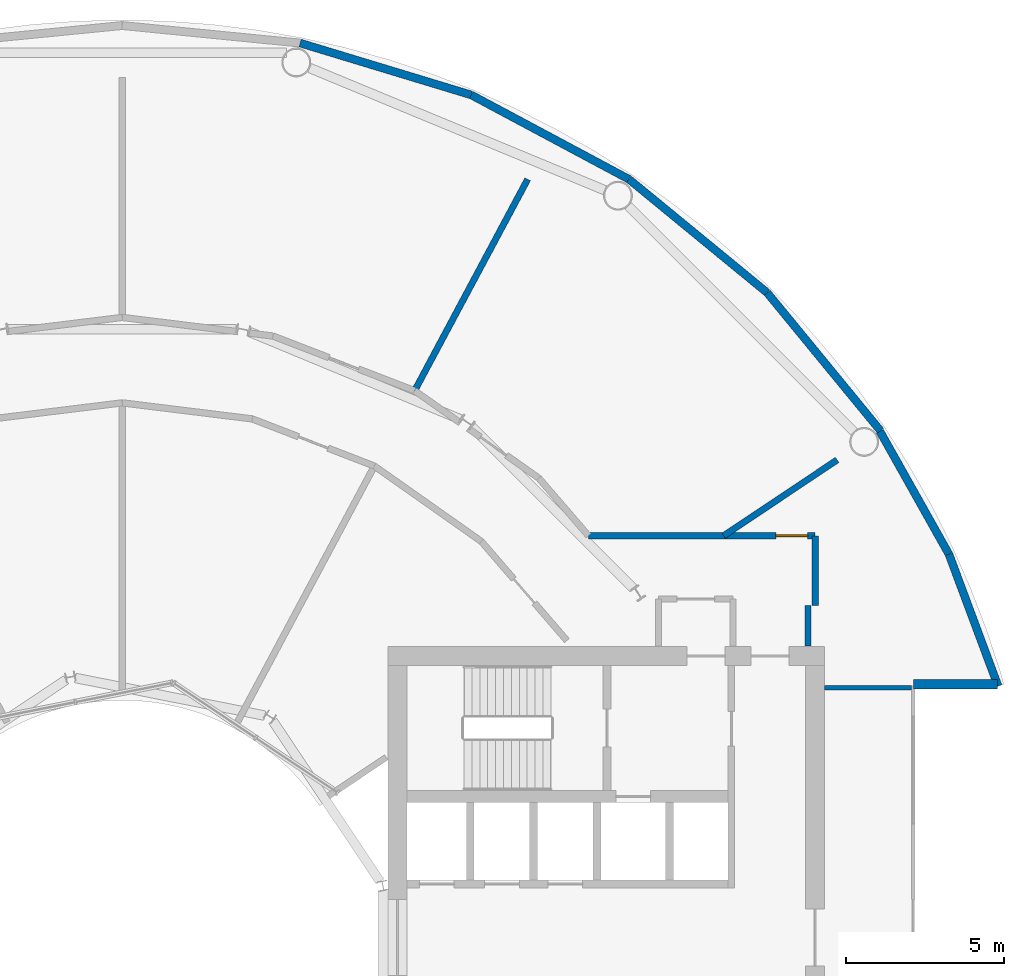
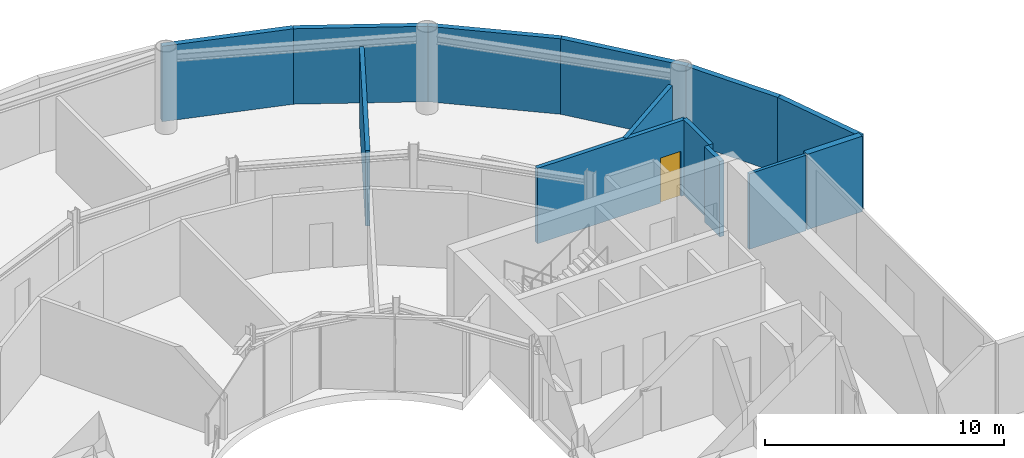
# One storey, part 15 of 18: 13 walls, 1 door, 1 opening.
"""IFC4 building model written with IfcOpenShell, lengths in metres."""

from ifc_helpers import new_model, si_unit, direction, frame, frame_2d, origin, place, context, subcontext, project, spatial, rectangle, extrude, material, layer, layer_set, type_object, element, fill, save


model = new_model("IFC4")

# Units and contexts
model_context = context("Model", 3, precision=1e-05, world=origin(), true_north=direction((0.0, 1.0)))
body_context = subcontext(model_context, "Body", "Model", "MODEL_VIEW")
ifc_project = project(units=[si_unit("LENGTHUNIT", "METRE"), si_unit("AREAUNIT", "SQUARE_METRE"), si_unit("VOLUMEUNIT", "CUBIC_METRE"), si_unit("PLANEANGLEUNIT", "RADIAN"), si_unit("MASSUNIT", "GRAM", prefix="KILO")], contexts=[model_context])

# Site, building, storey
site_placement = place(None, origin())
site = spatial("IfcSite", under=ifc_project, at=site_placement, CompositionType="ELEMENT")
building_placement = place(site_placement, origin())
building = spatial("IfcBuilding", under=site, at=building_placement, Name="Maasbend Ring Residences", CompositionType="ELEMENT")
storey_placement = place(building_placement, frame((0.0, 0.0, 103.25)))
storey = spatial("IfcBuildingStorey", under=building, at=storey_placement, Name="L29", CompositionType="ELEMENT", Elevation=103.25)

# Walls
ifc_material_1 = material(Name="Concrete C30/37", Category="concrete")
ifc_layer_1 = layer(ifc_material_1, 0.199951171875)
ifc_layer_set_1 = layer_set([ifc_layer_1], Name="Concrete C30/37")
wall_type_1 = type_object("IfcWallType", Name="COMPARTMENT WALL 200 CONCRETE", PredefinedType="PARTITIONING", material=ifc_layer_set_1)
wall_1_placement = place(storey_placement, frame((21.89990234375, 10.5, 0.0), z_axis=(0.0, 0.0, 1.0), x_axis=(0.0, 1.0, 0.0)))
element("IfcWall", 1, at=wall_1_placement, inside=storey, type_object=wall_type_1, Name="U-L29-w001", PredefinedType="PARTITIONING", context=body_context, shape_type="SweptSolid", body=[
    extrude(rectangle(XDim=2.199951171875, YDim=0.199951171875, at=frame_2d((1.10009765625, 0.0))), origin(), (0.0, 0.0, 1.0), 3.85009765625),
])
wall_2_placement = place(storey_placement, frame((21.675048828125, 9.219970703125, 0.0), z_axis=(0.0, 0.0, 1.0), x_axis=(0.0, 1.0, 0.0)))
element("IfcWall", 2, at=wall_2_placement, inside=storey, type_object=wall_type_1, Name="U-L29-w003", PredefinedType="PARTITIONING", context=body_context, shape_type="SweptSolid", body=[
    extrude(rectangle(XDim=1.280029296875, YDim=0.199951171875, at=frame_2d((0.64013671875, 0.0))), origin(), (0.0, 0.0, 1.0), 3.85009765625),
])
wall_3_placement = place(storey_placement, frame((9.241943359375, 17.284912109375, 0.0), z_axis=(0.0, 0.0, 1.0), x_axis=(0.471439510802, 0.881898399848, 0.0)))
element("IfcWall", 3, at=wall_3_placement, inside=storey, type_object=wall_type_1, Name="U-L29-w044", PredefinedType="PARTITIONING", context=body_context, shape_type="SweptSolid", body=[
    extrude(rectangle(XDim=7.57470703125, YDim=0.199951171875, at=frame_2d((3.787353515625, 0.0))), origin(), (0.0, 0.0, 1.0), 3.85009765625),
])
wall_4_placement = place(storey_placement, frame((19.007080078125, 12.699951171875, 0.0), z_axis=(0.0, 0.0, 1.0), x_axis=(0.831405664754, 0.555665925368, 0.0)))
element("IfcWall", 4, at=wall_4_placement, inside=storey, type_object=wall_type_1, Name="U-L29-w046", PredefinedType="PARTITIONING", context=body_context, shape_type="SweptSolid", body=[
    extrude(rectangle(XDim=4.3154296875, YDim=0.199951171875, at=frame_2d((2.15771484375, 0.0))), origin(), (0.0, 0.0, 1.0), 3.85009765625),
])

# Wall, opening, door
wall_5_placement = place(storey_placement, frame((14.735107421875, 12.699951171875, 0.0), z_axis=(0.0, 0.0, 1.0), x_axis=(1.0, 0.0, 0.0)))
wall_5 = element("IfcWall", 5, at=wall_5_placement, inside=storey, type_object=wall_type_1, Name="U-L29-w051", PredefinedType="PARTITIONING", context=body_context, shape_type="SweptSolid", body=[
    extrude(rectangle(XDim=7.164794921875, YDim=0.199951171875, at=frame_2d((3.58251953125, 0.0))), origin(), (0.0, 0.0, 1.0), 3.85009765625),
])
opening_placement = place(wall_5_placement, frame((5.922119140625, 0.0, 0.0)))
opening = element("IfcOpeningElement", 6, at=opening_placement, cuts=wall_5, Name="Opening D-2922", PredefinedType="OPENING", context=body_context, shape_type="SweptSolid", body=[
    extrude(rectangle(XDim=1.0, YDim=2.300048828125, at=frame_2d((0.5, 1.14990234375))), frame((0.0, 0.10986328125, 0.0), z_axis=(0.0, -1.0, 0.0), x_axis=(1.0, 0.0, 0.0)), (0.0, 0.0, 1.0), 0.219970703125),
])
ifc_material_2 = material(Name="Steel, fire-rated, painted", Category="steel")
door_type = type_object("IfcDoorType", Name="PLANT DOOR 1000 X 2300 FIRE-RATED", OperationType="NOTDEFINED", PredefinedType="DOOR", material=ifc_material_2)
door_placement = place(opening_placement, origin())
door = element("IfcDoor", 7, at=door_placement, inside=storey, type_object=door_type, Name="D-2922", OperationType="SINGLE_SWING_RIGHT", OverallHeight=2.300048828125, OverallWidth=1.0, PredefinedType="DOOR", context=body_context, shape_type="SweptSolid", body=[
    extrude(rectangle(XDim=1.0, YDim=2.300048828125, at=frame_2d((0.5, 1.14990234375))), frame((0.0, 0.02490234375, 0.0), z_axis=(0.0, -1.0, 0.0), x_axis=(1.0, 0.0, 0.0)), (0.0, 0.0, 1.0), 0.050048828125),
])
fill(opening, door)

# Walls
ifc_material_3 = material(Name="Louvred aluminium panel", Category="aluminium")
ifc_layer_2 = layer(ifc_material_3, 0.25)
ifc_layer_set_2 = layer_set([ifc_layer_2], Name="EW-LV")
wall_type_2 = type_object("IfcWallType", Name="EW-LV", PredefinedType="SOLIDWALL", material=ifc_layer_set_2)
for number, where, z_axis, x_axis, name in (
    (8, (23.967041015625, 16.013916015625, 0.0), (0.0, 0.0, 1.0), (-0.634403999748, 0.773001659186, 0.0), "External wall N01"),
    (9, (20.382080078125, 20.382080078125, 0.0), (0.0, 0.0, 1.0), (-0.773001659186, 0.634403999748, 0.0), "External wall N02"),
):
    element("IfcWall", number, at=place(storey_placement, frame(where, z_axis=z_axis, x_axis=x_axis)), inside=storey, type_object=wall_type_2, Name=name, PredefinedType="SOLIDWALL", context=body_context, shape_type="SweptSolid", body=[
        extrude(rectangle(XDim=5.65087890625, YDim=0.25, at=frame_2d((2.825439453125, 0.0))), origin(), (0.0, 0.0, 1.0), 3.85009765625),
    ])
wall_6_placement = place(storey_placement, frame((16.013916015625, 23.967041015625, 0.0), z_axis=(0.0, 0.0, 1.0), x_axis=(-0.881874058161, 0.471485042756, 0.0)))
element("IfcWall", 10, at=wall_6_placement, inside=storey, type_object=wall_type_2, Name="External wall N03", PredefinedType="SOLIDWALL", context=body_context, shape_type="SweptSolid", body=[
    extrude(rectangle(XDim=5.650390625, YDim=0.25, at=frame_2d((2.8251953125, 0.0))), origin(), (0.0, 0.0, 1.0), 3.85009765625),
])
wall_7_placement = place(storey_placement, frame((11.031005859375, 26.631103515625, 0.0), z_axis=(0.0, 0.0, 1.0), x_axis=(-0.956969521741, 0.29018844646, 0.0)))
element("IfcWall", 11, at=wall_7_placement, inside=storey, type_object=wall_type_2, Name="External wall N04", PredefinedType="SOLIDWALL", context=body_context, shape_type="SweptSolid", body=[
    extrude(rectangle(XDim=5.651123046875, YDim=0.25, at=frame_2d((2.82568359375, 0.0))), origin(), (0.0, 0.0, 1.0), 3.85009765625),
])
wall_8_placement = place(storey_placement, frame((27.681884765625, 7.945068359375, 0.0), z_axis=(0.0, 0.0, 1.0), x_axis=(-0.349247811493, 0.937030397675, 0.0)))
element("IfcWall", 12, at=wall_8_placement, inside=storey, type_object=wall_type_2, Name="Horn wall 1.1", PredefinedType="SOLIDWALL", context=body_context, shape_type="SweptSolid", body=[
    extrude(rectangle(XDim=4.4521484375, YDim=0.25, at=frame_2d((2.22607421875, 0.0))), origin(), (0.0, 0.0, 1.0), 3.85009765625),
])
wall_9_placement = place(storey_placement, frame((26.126953125, 12.116943359375, 0.0), z_axis=(0.0, 0.0, 1.0), x_axis=(-0.489696356642, 0.871893042919, 0.0)))
element("IfcWall", 13, at=wall_9_placement, inside=storey, type_object=wall_type_2, Name="Horn wall 1.2", PredefinedType="SOLIDWALL", context=body_context, shape_type="SweptSolid", body=[
    extrude(rectangle(XDim=4.45361328125, YDim=0.25, at=frame_2d((2.226806640625, 0.0))), origin(), (0.0, 0.0, 1.0), 3.85009765625),
])
ifc_material_4 = material(Name="Aluminium clad insulated panel", Category="aluminium")
ifc_layer_3 = layer(ifc_material_4, 0.300048828125)
ifc_layer_set_3 = layer_set([ifc_layer_3], Name="EW-RET")
wall_type_3 = type_object("IfcWallType", Name="EW-RET", PredefinedType="SOLIDWALL", material=ifc_layer_set_3)
wall_10_placement = place(storey_placement, frame((25.0, 8.0, 0.0), z_axis=(0.0, 0.0, 1.0), x_axis=(1.0, 0.0, 0.0)))
element("IfcWall", 14, at=wall_10_placement, inside=storey, type_object=wall_type_3, Name="Notch return wall east north", PredefinedType="SOLIDWALL", context=body_context, shape_type="SweptSolid", body=[
    extrude(rectangle(XDim=2.6669921875, YDim=0.300048828125, at=frame_2d((1.33349609375, 0.0))), origin(), (0.0, 0.0, 1.0), 3.85009765625),
])
ifc_material_5 = material(Name="Gypsum board on steel studs", Category="steel")
ifc_layer_4 = layer(ifc_material_5, 0.14990234375)
ifc_layer_set_4 = layer_set([ifc_layer_4], Name="PARTITION 150 EI 60")
wall_type_4 = type_object("IfcWallType", Name="PARTITION 150 EI 60", PredefinedType="PARTITIONING", material=ifc_layer_set_4)
wall_11_placement = place(storey_placement, frame((22.199951171875, 7.89990234375, 0.0), z_axis=(0.0, 0.0, 1.0), x_axis=(1.0, 0.0, 0.0)))
element("IfcWall", 15, at=wall_11_placement, inside=storey, type_object=wall_type_4, Name="L29 core E wall CITN", PredefinedType="PARTITIONING", context=body_context, shape_type="SweptSolid", body=[
    extrude(rectangle(XDim=2.739990234375, YDim=0.14990234375, at=frame_2d((1.3701171875, 0.0))), origin(), (0.0, 0.0, 1.0), 3.85009765625),
])

save(model, "model.ifc")
